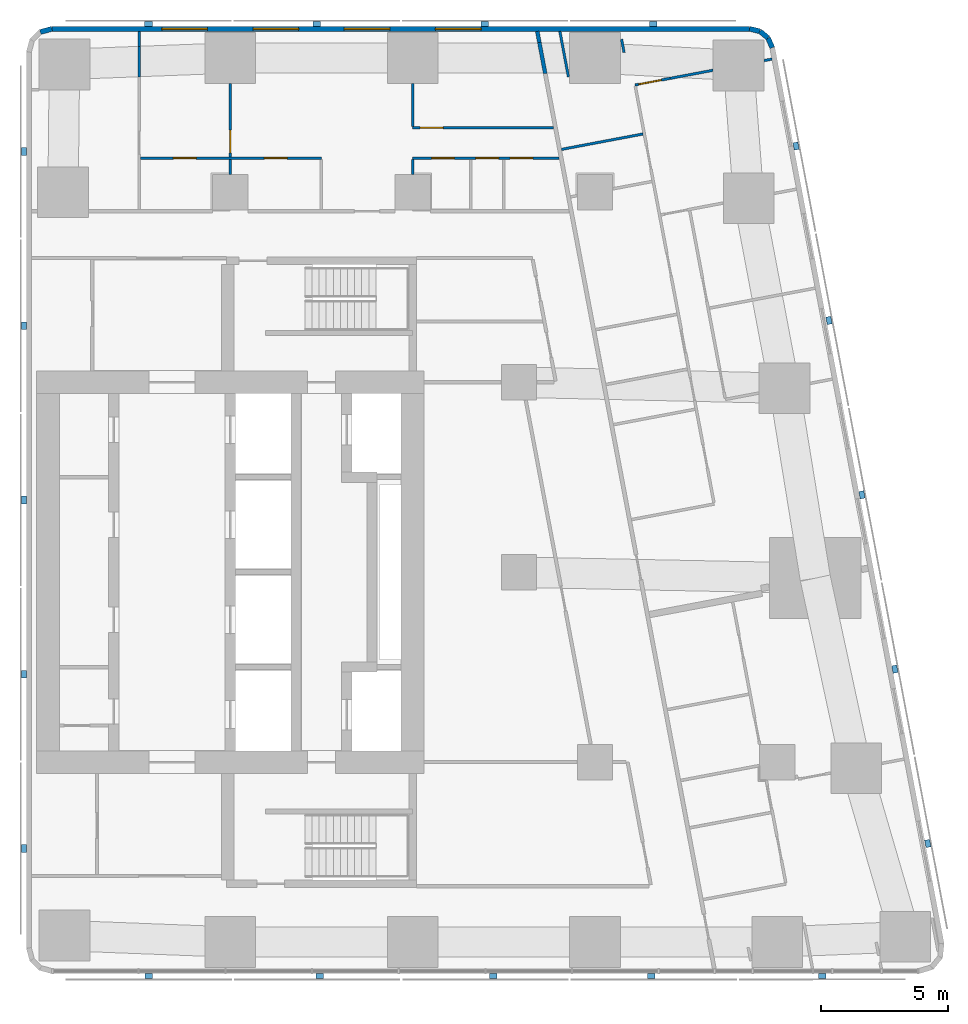
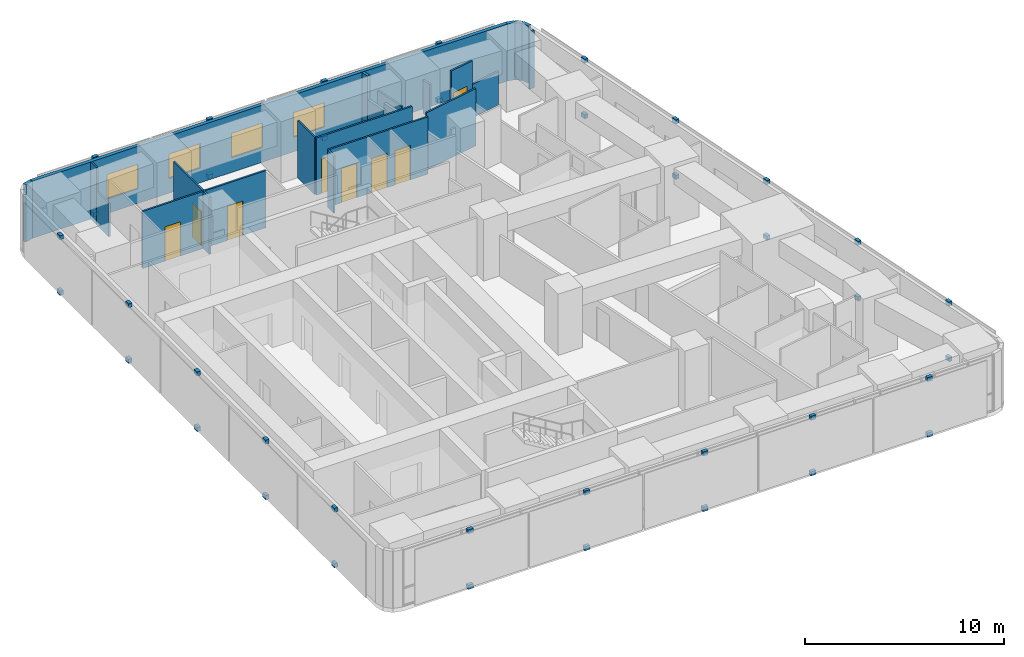
# One storey, part 8 of 10: 38 discrete accessories, 22 walls, 8 doors, 4 windows, 12 openings.
"""IFC4 building model written with IfcOpenShell, lengths in metres."""

from ifc_helpers import new_model, si_unit, direction, frame, frame_2d, origin, origin_2d, place, context, subcontext, project, spatial, rectangle, extrude, material, layer, layer_set, type_object, element, fill, save


model = new_model("IFC4")

# Units and contexts
model_context = context("Model", 3, precision=1e-05, world=origin(), true_north=direction((0.0, 1.0)))
body_context = subcontext(model_context, "Body", "Model", "MODEL_VIEW")
ifc_project = project(units=[si_unit("LENGTHUNIT", "METRE"), si_unit("AREAUNIT", "SQUARE_METRE"), si_unit("VOLUMEUNIT", "CUBIC_METRE"), si_unit("PLANEANGLEUNIT", "RADIAN"), si_unit("MASSUNIT", "GRAM", prefix="KILO")], contexts=[model_context])

# Site, building, storey
site_placement = place(None, origin())
site = spatial("IfcSite", under=ifc_project, at=site_placement, CompositionType="ELEMENT")
building_placement = place(site_placement, origin())
building = spatial("IfcBuilding", under=site, at=building_placement, Name="Sheger Commons Tower", CompositionType="ELEMENT")
storey_placement = place(building_placement, frame((0.0, 0.0, 289.10009765625)))
storey = spatial("IfcBuildingStorey", under=building, at=storey_placement, Name="L74", CompositionType="ELEMENT", Elevation=289.10009765625)

# Walls
ifc_material_1 = material(Name="Hollow concrete block masonry, skimmed both sides", Category="masonry")
ifc_layer_1 = layer(ifc_material_1, 0.14990234375)
ifc_layer_set_1 = layer_set([ifc_layer_1], Name="CORRIDOR WALL 150")
wall_type_1 = type_object("IfcWallType", Name="CORRIDOR WALL 150", PredefinedType="SOLIDWALL", material=ifc_layer_set_1)
wall_1_placement = place(storey_placement, frame((33.721923828125, 43.85009765625, 0.0), z_axis=(0.0, 0.0, 1.0), x_axis=(0.184886516626, -0.982759877066, 0.0)))
element("IfcWall", 1, at=wall_1_placement, inside=storey, type_object=wall_type_1, Name="Corridor wall L74", PredefinedType="SOLIDWALL", context=body_context, shape_type="SweptSolid", body=[
    extrude(rectangle(XDim=0.443603515625, YDim=0.14990234375, at=frame_2d((0.2216796875, 0.0))), origin(), (0.0, 0.0, 1.0), 3.5),
])
wall_2_placement = place(storey_placement, frame((33.803955078125, 43.4140625, 0.0), z_axis=(0.0, 0.0, 1.0), x_axis=(0.185585816539, -0.982628060204, 0.0)))
element("IfcWall", 2, at=wall_2_placement, inside=storey, type_object=wall_type_1, Name="Corridor wall L74", PredefinedType="SOLIDWALL", context=body_context, shape_type="SweptSolid", body=[
    extrude(rectangle(XDim=1.249755859375, YDim=0.14990234375, at=frame_2d((0.625, 0.0))), origin(), (0.0, 0.0, 1.0), 2.0498046875),
])
ifc_material_2 = material(Name="Rendered concrete block masonry, dark grey", Category="masonry")
ifc_layer_2 = layer(ifc_material_2, 0.199951171875)
ifc_layer_set_2 = layer_set([ifc_layer_2], Name="FACADE WALL 200")
wall_type_2 = type_object("IfcWallType", Name="FACADE WALL 200", PredefinedType="SOLIDWALL", material=ifc_layer_set_2)
wall_3_placement = place(storey_placement, frame((43.001953125, 43.2060546875, 0.0), z_axis=(0.0, 0.0, 1.0), x_axis=(-0.40678170573, 0.913525393124, 0.0)))
element("IfcWall", 3, at=wall_3_placement, inside=storey, type_object=wall_type_2, Name="Facade wall L74", PredefinedType="SOLIDWALL", context=body_context, shape_type="SweptSolid", body=[
    extrude(rectangle(XDim=0.422607421875, YDim=0.199951171875, at=frame_2d((0.21142578125, 0.0))), origin(), (0.0, 0.0, 1.0), 3.5),
])
wall_4_placement = place(storey_placement, frame((42.830078125, 43.592041015625, 0.0), z_axis=(0.0, 0.0, 1.0), x_axis=(-0.771190539797, 0.636604391539, 0.0)))
element("IfcWall", 4, at=wall_4_placement, inside=storey, type_object=wall_type_2, Name="Facade wall L74", PredefinedType="SOLIDWALL", context=body_context, shape_type="SweptSolid", body=[
    extrude(rectangle(XDim=0.409912109375, YDim=0.199951171875, at=frame_2d((0.205078125, 0.0))), origin(), (0.0, 0.0, 1.0), 3.5),
])
wall_5_placement = place(storey_placement, frame((42.513916015625, 43.85302734375, 0.0), z_axis=(0.0, 0.0, 1.0), x_axis=(-0.973288080424, 0.229587265555, 0.0)))
element("IfcWall", 5, at=wall_5_placement, inside=storey, type_object=wall_type_2, Name="Facade wall L74", PredefinedType="SOLIDWALL", context=body_context, shape_type="SweptSolid", body=[
    extrude(rectangle(XDim=0.422119140625, YDim=0.199951171875, at=frame_2d((0.2109375, 0.0))), origin(), (0.0, 0.0, 1.0), 3.5),
])

# Wall, openings, windows
wall_6_placement = place(storey_placement, frame((42.10302734375, 43.949951171875, 0.0), z_axis=(0.0, 0.0, 1.0), x_axis=(-1.0, 0.0, 0.0)))
wall_6 = element("IfcWall", 6, at=wall_6_placement, inside=storey, type_object=wall_type_2, Name="Facade wall L74", PredefinedType="SOLIDWALL", context=body_context, shape_type="SweptSolid", body=[
    extrude(rectangle(XDim=27.5400390625, YDim=0.199951171875, at=frame_2d((13.77001953125, 0.0))), origin(), (0.0, 0.0, 1.0), 3.5),
])
opening_1_placement = place(wall_6_placement, frame((10.60302734375, 0.0, 0.89990234375)))
opening_1 = element("IfcOpeningElement", 7, at=opening_1_placement, cuts=wall_6, Name="Opening W2", PredefinedType="OPENING", context=body_context, shape_type="SweptSolid", body=[
    extrude(rectangle(XDim=1.800048828125, YDim=1.5, at=frame_2d((0.89990234375, 0.75))), frame((0.0, 0.10986328125, 0.0), z_axis=(0.0, -1.0, 0.0), x_axis=(1.0, 0.0, 0.0)), (0.0, 0.0, 1.0), 0.219970703125),
])
opening_2_placement = place(wall_6_placement, frame((14.202880859375, 0.0, 0.89990234375)))
opening_2 = element("IfcOpeningElement", 8, at=opening_2_placement, cuts=wall_6, Name="Opening W2", PredefinedType="OPENING", context=body_context, shape_type="SweptSolid", body=[
    extrude(rectangle(XDim=1.800048828125, YDim=1.5, at=frame_2d((0.89990234375, 0.75))), frame((0.0, 0.10986328125, 0.0), z_axis=(0.0, -1.0, 0.0), x_axis=(1.0, 0.0, 0.0)), (0.0, 0.0, 1.0), 0.219970703125),
])
opening_3_placement = place(wall_6_placement, frame((17.802978515625, 0.0, 0.89990234375)))
opening_3 = element("IfcOpeningElement", 9, at=opening_3_placement, cuts=wall_6, Name="Opening W2", PredefinedType="OPENING", context=body_context, shape_type="SweptSolid", body=[
    extrude(rectangle(XDim=1.800048828125, YDim=1.5, at=frame_2d((0.89990234375, 0.75))), frame((0.0, 0.10986328125, 0.0), z_axis=(0.0, -1.0, 0.0), x_axis=(1.0, 0.0, 0.0)), (0.0, 0.0, 1.0), 0.219970703125),
])
opening_4_placement = place(wall_6_placement, frame((21.403076171875, 0.0, 0.89990234375)))
opening_4 = element("IfcOpeningElement", 10, at=opening_4_placement, cuts=wall_6, Name="Opening W2", PredefinedType="OPENING", context=body_context, shape_type="SweptSolid", body=[
    extrude(rectangle(XDim=1.800048828125, YDim=1.5, at=frame_2d((0.89990234375, 0.75))), frame((0.0, 0.10986328125, 0.0), z_axis=(0.0, -1.0, 0.0), x_axis=(1.0, 0.0, 0.0)), (0.0, 0.0, 1.0), 0.219970703125),
])
ifc_material_3 = material(Name="Black aluminium frame, dark tinted double glazing", Category="aluminium")
window_type = type_object("IfcWindowType", Name="WINDOW W2 1800x1500", PartitioningType="SINGLE_PANEL", PredefinedType="WINDOW", material=ifc_material_3)
window_1_placement = place(opening_1_placement, origin())
window_1 = element("IfcWindow", 11, at=window_1_placement, inside=storey, type_object=window_type, Name="Window W2 1800X1500", OverallHeight=1.5, OverallWidth=1.800048828125, PartitioningType="SINGLE_PANEL", PredefinedType="WINDOW", context=body_context, shape_type="SweptSolid", body=[
    extrude(rectangle(XDim=1.800048828125, YDim=1.5, at=frame_2d((0.89990234375, 0.75))), frame((0.0, 0.030029296875, 0.0), z_axis=(0.0, -1.0, 0.0), x_axis=(1.0, 0.0, 0.0)), (0.0, 0.0, 1.0), 0.06005859375),
])
fill(opening_1, window_1)
window_2_placement = place(opening_2_placement, origin())
window_2 = element("IfcWindow", 12, at=window_2_placement, inside=storey, type_object=window_type, Name="Window W2 1800X1500", OverallHeight=1.5, OverallWidth=1.800048828125, PartitioningType="SINGLE_PANEL", PredefinedType="WINDOW", context=body_context, shape_type="SweptSolid", body=[
    extrude(rectangle(XDim=1.800048828125, YDim=1.5, at=frame_2d((0.89990234375, 0.75))), frame((0.0, 0.030029296875, 0.0), z_axis=(0.0, -1.0, 0.0), x_axis=(1.0, 0.0, 0.0)), (0.0, 0.0, 1.0), 0.06005859375),
])
fill(opening_2, window_2)
window_3_placement = place(opening_3_placement, origin())
window_3 = element("IfcWindow", 13, at=window_3_placement, inside=storey, type_object=window_type, Name="Window W2 1800X1500", OverallHeight=1.5, OverallWidth=1.800048828125, PartitioningType="SINGLE_PANEL", PredefinedType="WINDOW", context=body_context, shape_type="SweptSolid", body=[
    extrude(rectangle(XDim=1.800048828125, YDim=1.5, at=frame_2d((0.89990234375, 0.75))), frame((0.0, 0.030029296875, 0.0), z_axis=(0.0, -1.0, 0.0), x_axis=(1.0, 0.0, 0.0)), (0.0, 0.0, 1.0), 0.06005859375),
])
fill(opening_3, window_3)
window_4_placement = place(opening_4_placement, origin())
window_4 = element("IfcWindow", 14, at=window_4_placement, inside=storey, type_object=window_type, Name="Window W2 1800X1500", OverallHeight=1.5, OverallWidth=1.800048828125, PartitioningType="SINGLE_PANEL", PredefinedType="WINDOW", context=body_context, shape_type="SweptSolid", body=[
    extrude(rectangle(XDim=1.800048828125, YDim=1.5, at=frame_2d((0.89990234375, 0.75))), frame((0.0, 0.030029296875, 0.0), z_axis=(0.0, -1.0, 0.0), x_axis=(1.0, 0.0, 0.0)), (0.0, 0.0, 1.0), 0.06005859375),
])
fill(opening_4, window_4)

# Walls
wall_7_placement = place(storey_placement, frame((14.56298828125, 43.949951171875, 0.0), z_axis=(0.0, 0.0, 1.0), x_axis=(-0.965655254015, -0.259826731483, 0.0)))
element("IfcWall", 15, at=wall_7_placement, inside=storey, type_object=wall_type_2, Name="Facade wall L74", PredefinedType="SOLIDWALL", context=body_context, shape_type="SweptSolid", body=[
    extrude(rectangle(XDim=0.477294921875, YDim=0.199951171875, at=frame_2d((0.23876953125, 0.0))), origin(), (0.0, 0.0, 1.0), 3.5),
])
ifc_material_4 = material(Name="Gypsum board on steel studs", Category="steel")
ifc_layer_3 = layer(ifc_material_4, 0.10009765625)
ifc_layer_set_3 = layer_set([ifc_layer_3], Name="PARTITION 100")
wall_type_3 = type_object("IfcWallType", Name="PARTITION 100", PredefinedType="PARTITIONING", material=ifc_layer_set_3)
wall_8_placement = place(storey_placement, frame((34.951904296875, 42.054931640625, 0.0), z_axis=(0.0, 0.0, 1.0), x_axis=(-0.185490642006, 0.98264603074, 0.0)))
element("IfcWall", 16, at=wall_8_placement, inside=storey, type_object=wall_type_3, Name="Partition L74", PredefinedType="PARTITIONING", context=body_context, shape_type="SweptSolid", body=[
    extrude(rectangle(XDim=1.826904296875, YDim=0.10009765625, at=frame_2d((0.91357421875, 0.0))), origin(), (0.0, 0.0, 1.0), 2.0498046875),
])
wall_9_placement = place(storey_placement, frame((37.049072265625, 43.5390625, 0.0), z_axis=(0.0, 0.0, 1.0), x_axis=(0.186119495745, -0.982527115811, 0.0)))
element("IfcWall", 17, at=wall_9_placement, inside=storey, type_object=wall_type_3, Name="Partition L74", PredefinedType="PARTITIONING", context=body_context, shape_type="SweptSolid", body=[
    extrude(rectangle(XDim=0.53125, YDim=0.10009765625, at=frame_2d((0.265625, 0.0))), origin(), (0.0, 0.0, 1.0), 2.0498046875),
])
wall_10_placement = place(storey_placement, frame((42.985107421875, 42.7548828125, 0.0), z_axis=(0.0, 0.0, 1.0), x_axis=(-0.98281924824, -0.184570651215, 0.0)))
element("IfcWall", 18, at=wall_10_placement, inside=storey, type_object=wall_type_3, Name="Partition L74", PredefinedType="PARTITIONING", context=body_context, shape_type="SweptSolid", body=[
    extrude(rectangle(XDim=0.3134765625, YDim=0.10009765625, at=frame_2d((0.15673828125, 0.0))), origin(), (0.0, 0.0, 1.0), 3.5),
])
wall_11_placement = place(storey_placement, frame((40.656982421875, 42.31494140625, 0.0), z_axis=(0.0, 0.0, 1.0), x_axis=(-0.982603924403, -0.185713563715, 0.0)))
element("IfcWall", 19, at=wall_11_placement, inside=storey, type_object=wall_type_3, Name="Partition L74", PredefinedType="PARTITIONING", context=body_context, shape_type="SweptSolid", body=[
    extrude(rectangle(XDim=1.716796875, YDim=0.10009765625, at=frame_2d((0.8583984375, 0.0))), origin(), (0.0, 0.0, 1.0), 2.0498046875),
])

# Wall, opening, door
wall_12_placement = place(storey_placement, frame((38.969970703125, 41.99609375, 0.0), z_axis=(0.0, 0.0, 1.0), x_axis=(-0.982642648049, -0.185508561084, 0.0)))
wall_12 = element("IfcWall", 20, at=wall_12_placement, inside=storey, type_object=wall_type_3, Name="Partition L74", PredefinedType="PARTITIONING", context=body_context, shape_type="SweptSolid", body=[
    extrude(rectangle(XDim=1.413330078125, YDim=0.10009765625, at=frame_2d((0.70654296875, 0.0))), origin(), (0.0, 0.0, 1.0), 3.5),
])
opening_5_placement = place(wall_12_placement, frame((0.363037109375, 0.0, 0.0)))
opening_5 = element("IfcOpeningElement", 21, at=opening_5_placement, cuts=wall_12, Name="Opening D2", PredefinedType="OPENING", context=body_context, shape_type="SweptSolid", body=[
    extrude(rectangle(XDim=0.89990234375, YDim=2.10009765625, at=frame_2d((0.449951171875, 1.050048828125))), frame((0.0, 0.06005859375, 0.0), z_axis=(0.0, -1.0, 0.0), x_axis=(1.0, 0.0, 0.0)), (0.0, 0.0, 1.0), 0.1201171875),
])
ifc_material_5 = material(Name="Timber door set", Category="wood")
door_type = type_object("IfcDoorType", Name="INTERNAL DOOR 900x2100", OperationType="NOTDEFINED", PredefinedType="DOOR", material=ifc_material_5)
door_1_placement = place(opening_5_placement, origin())
door_1 = element("IfcDoor", 22, at=door_1_placement, inside=storey, type_object=door_type, Name="Dressing room door", OperationType="SINGLE_SWING_LEFT", OverallHeight=2.10009765625, OverallWidth=0.89990234375, PredefinedType="DOOR", context=body_context, shape_type="SweptSolid", body=[
    extrude(rectangle(XDim=0.89990234375, YDim=2.10009765625, at=frame_2d((0.449951171875, 1.050048828125))), frame((0.0, 0.02490234375, 0.0), z_axis=(0.0, -1.0, 0.0), x_axis=(1.0, 0.0, 0.0)), (0.0, 0.0, 1.0), 0.050048828125),
])
fill(opening_5, door_1)

# Walls
wall_13_placement = place(storey_placement, frame((37.89599609375, 39.800048828125, 0.0), z_axis=(0.0, 0.0, 1.0), x_axis=(-0.982607026909, -0.185697147715, 0.0)))
element("IfcWall", 23, at=wall_13_placement, inside=storey, type_object=wall_type_3, Name="Partition L74", PredefinedType="PARTITIONING", context=body_context, shape_type="SweptSolid", body=[
    extrude(rectangle(XDim=3.27490234375, YDim=0.10009765625, at=frame_2d((1.637451171875, 0.0))), origin(), (0.0, 0.0, 1.0), 3.5),
])
wall_14_placement = place(storey_placement, frame((18.0, 42.05810546875, 0.0), z_axis=(0.0, 0.0, 1.0), x_axis=(0.0, 1.0, 0.0)))
element("IfcWall", 24, at=wall_14_placement, inside=storey, type_object=wall_type_3, Name="Partition L74", PredefinedType="PARTITIONING", context=body_context, shape_type="SweptSolid", body=[
    extrude(rectangle(XDim=1.204833984375, YDim=0.10009765625, at=frame_2d((0.6025390625, 0.0))), origin(), (0.0, 0.0, 1.0), 2.0498046875),
])
wall_15_placement = place(storey_placement, frame((18.0, 43.262939453125, 0.0), z_axis=(0.0, 0.0, 1.0), x_axis=(0.0, 1.0, 0.0)))
element("IfcWall", 25, at=wall_15_placement, inside=storey, type_object=wall_type_3, Name="Partition L74", PredefinedType="PARTITIONING", context=body_context, shape_type="SweptSolid", body=[
    extrude(rectangle(XDim=0.587158203125, YDim=0.10009765625, at=frame_2d((0.29345703125, 0.0))), origin(), (0.0, 0.0, 1.0), 3.5),
])

# Wall, opening, door
wall_16_placement = place(storey_placement, frame((21.60009765625, 38.89990234375, 0.0), z_axis=(0.0, 0.0, 1.0), x_axis=(0.0, 1.0, 0.0)))
wall_16 = element("IfcWall", 26, at=wall_16_placement, inside=storey, type_object=wall_type_3, Name="Partition L74", PredefinedType="PARTITIONING", context=body_context, shape_type="SweptSolid", body=[
    extrude(rectangle(XDim=2.899169921875, YDim=0.10009765625, at=frame_2d((1.44970703125, 0.0))), origin(), (0.0, 0.0, 1.0), 3.5),
])
opening_6_placement = place(wall_16_placement, frame((0.14990234375, 0.0, 0.0)))
opening_6 = element("IfcOpeningElement", 27, at=opening_6_placement, cuts=wall_16, Name="Opening D2", PredefinedType="OPENING", context=body_context, shape_type="SweptSolid", body=[
    extrude(rectangle(XDim=0.89990234375, YDim=2.10009765625, at=frame_2d((0.449951171875, 1.050048828125))), frame((0.0, 0.06005859375, 0.0), z_axis=(0.0, -1.0, 0.0), x_axis=(1.0, 0.0, 0.0)), (0.0, 0.0, 1.0), 0.1201171875),
])
door_2_placement = place(opening_6_placement, origin())
door_2 = element("IfcDoor", 28, at=door_2_placement, inside=storey, type_object=door_type, Name="Main bedroom door", OperationType="SINGLE_SWING_LEFT", OverallHeight=2.10009765625, OverallWidth=0.89990234375, PredefinedType="DOOR", context=body_context, shape_type="SweptSolid", body=[
    extrude(rectangle(XDim=0.89990234375, YDim=2.10009765625, at=frame_2d((0.449951171875, 1.050048828125))), frame((0.0, 0.02490234375, 0.0), z_axis=(0.0, -1.0, 0.0), x_axis=(1.0, 0.0, 0.0)), (0.0, 0.0, 1.0), 0.050048828125),
])
fill(opening_6, door_2)

# Walls
wall_17_placement = place(storey_placement, frame((28.800048828125, 40.10009765625, 0.0), z_axis=(0.0, 0.0, 1.0), x_axis=(0.0, 1.0, 0.0)))
element("IfcWall", 29, at=wall_17_placement, inside=storey, type_object=wall_type_3, Name="Partition L74", PredefinedType="PARTITIONING", context=body_context, shape_type="SweptSolid", body=[
    extrude(rectangle(XDim=1.698974609375, YDim=0.10009765625, at=frame_2d((0.849609375, 0.0))), origin(), (0.0, 0.0, 1.0), 3.5),
])
for number, where, z_axis, x_axis, name in (
    (30, (21.60009765625, 38.200927734375, 0.0), (0.0, 0.0, 1.0), (0.0, 1.0, 0.0), "Partition L74"),
    (31, (28.800048828125, 38.200927734375, 0.0), (0.0, 0.0, 1.0), (0.0, 1.0, 0.0), "Partition L74"),
):
    element("IfcWall", number, at=place(storey_placement, frame(where, z_axis=z_axis, x_axis=x_axis)), inside=storey, type_object=wall_type_3, Name=name, PredefinedType="PARTITIONING", context=body_context, shape_type="SweptSolid", body=[
        extrude(rectangle(XDim=0.59912109375, YDim=0.10009765625, at=frame_2d((0.299560546875, 0.0))), origin(), (0.0, 0.0, 1.0), 3.5),
    ])

# Wall, openings, doors
wall_18_placement = place(storey_placement, frame((18.050048828125, 38.85009765625, 0.0), z_axis=(0.0, 0.0, 1.0), x_axis=(1.0, 0.0, 0.0)))
wall_18 = element("IfcWall", 32, at=wall_18_placement, inside=storey, type_object=wall_type_3, Name="Partition L74", PredefinedType="PARTITIONING", context=body_context, shape_type="SweptSolid", body=[
    extrude(rectangle(XDim=7.14990234375, YDim=0.10009765625, at=frame_2d((3.574951171875, 0.0))), origin(), (0.0, 0.0, 1.0), 3.5),
])
opening_7_placement = place(wall_18_placement, frame((1.300048828125, 0.0, 0.0)))
opening_7 = element("IfcOpeningElement", 33, at=opening_7_placement, cuts=wall_18, Name="Opening D2", PredefinedType="OPENING", context=body_context, shape_type="SweptSolid", body=[
    extrude(rectangle(XDim=0.89990234375, YDim=2.10009765625, at=frame_2d((0.449951171875, 1.050048828125))), frame((0.0, 0.06005859375, 0.0), z_axis=(0.0, -1.0, 0.0), x_axis=(1.0, 0.0, 0.0)), (0.0, 0.0, 1.0), 0.1201171875),
])
opening_8_placement = place(wall_18_placement, frame((4.89990234375, 0.0, 0.0)))
opening_8 = element("IfcOpeningElement", 34, at=opening_8_placement, cuts=wall_18, Name="Opening D2", PredefinedType="OPENING", context=body_context, shape_type="SweptSolid", body=[
    extrude(rectangle(XDim=0.89990234375, YDim=2.10009765625, at=frame_2d((0.449951171875, 1.050048828125))), frame((0.0, 0.06005859375, 0.0), z_axis=(0.0, -1.0, 0.0), x_axis=(1.0, 0.0, 0.0)), (0.0, 0.0, 1.0), 0.1201171875),
])
door_3_placement = place(opening_7_placement, origin())
door_3 = element("IfcDoor", 35, at=door_3_placement, inside=storey, type_object=door_type, Name="En-suite door", OperationType="SINGLE_SWING_RIGHT", OverallHeight=2.10009765625, OverallWidth=0.89990234375, PredefinedType="DOOR", context=body_context, shape_type="SweptSolid", body=[
    extrude(rectangle(XDim=0.89990234375, YDim=2.10009765625, at=frame_2d((0.449951171875, 1.050048828125))), frame((0.0, 0.02490234375, 0.0), z_axis=(0.0, -1.0, 0.0), x_axis=(1.0, 0.0, 0.0)), (0.0, 0.0, 1.0), 0.050048828125),
])
fill(opening_7, door_3)
door_4_placement = place(opening_8_placement, origin())
door_4 = element("IfcDoor", 36, at=door_4_placement, inside=storey, type_object=door_type, Name="Kitchen door", OperationType="SINGLE_SWING_LEFT", OverallHeight=2.10009765625, OverallWidth=0.89990234375, PredefinedType="DOOR", context=body_context, shape_type="SweptSolid", body=[
    extrude(rectangle(XDim=0.89990234375, YDim=2.10009765625, at=frame_2d((0.449951171875, 1.050048828125))), frame((0.0, 0.02490234375, 0.0), z_axis=(0.0, -1.0, 0.0), x_axis=(1.0, 0.0, 0.0)), (0.0, 0.0, 1.0), 0.050048828125),
])
fill(opening_8, door_4)

wall_19_placement = place(storey_placement, frame((28.800048828125, 38.85009765625, 0.0), z_axis=(0.0, 0.0, 1.0), x_axis=(1.0, 0.0, 0.0)))
wall_19 = element("IfcWall", 37, at=wall_19_placement, inside=storey, type_object=wall_type_3, Name="Partition L74", PredefinedType="PARTITIONING", context=body_context, shape_type="SweptSolid", body=[
    extrude(rectangle(XDim=5.781005859375, YDim=0.10009765625, at=frame_2d((2.890625, 0.0))), origin(), (0.0, 0.0, 1.0), 3.5),
])
opening_9_placement = place(wall_19_placement, frame((0.75, 0.0, 0.0)))
opening_9 = element("IfcOpeningElement", 38, at=opening_9_placement, cuts=wall_19, Name="Opening D2", PredefinedType="OPENING", context=body_context, shape_type="SweptSolid", body=[
    extrude(rectangle(XDim=0.89990234375, YDim=2.10009765625, at=frame_2d((0.449951171875, 1.050048828125))), frame((0.0, 0.06005859375, 0.0), z_axis=(0.0, -1.0, 0.0), x_axis=(1.0, 0.0, 0.0)), (0.0, 0.0, 1.0), 0.1201171875),
])
opening_10_placement = place(wall_19_placement, frame((2.5, 0.0, 0.0)))
opening_10 = element("IfcOpeningElement", 39, at=opening_10_placement, cuts=wall_19, Name="Opening D2", PredefinedType="OPENING", context=body_context, shape_type="SweptSolid", body=[
    extrude(rectangle(XDim=0.89990234375, YDim=2.10009765625, at=frame_2d((0.449951171875, 1.050048828125))), frame((0.0, 0.06005859375, 0.0), z_axis=(0.0, -1.0, 0.0), x_axis=(1.0, 0.0, 0.0)), (0.0, 0.0, 1.0), 0.1201171875),
])
opening_11_placement = place(wall_19_placement, frame((3.85009765625, 0.0, 0.0)))
opening_11 = element("IfcOpeningElement", 40, at=opening_11_placement, cuts=wall_19, Name="Opening D2", PredefinedType="OPENING", context=body_context, shape_type="SweptSolid", body=[
    extrude(rectangle(XDim=0.89990234375, YDim=2.10009765625, at=frame_2d((0.449951171875, 1.050048828125))), frame((0.0, 0.06005859375, 0.0), z_axis=(0.0, -1.0, 0.0), x_axis=(1.0, 0.0, 0.0)), (0.0, 0.0, 1.0), 0.1201171875),
])
door_5_placement = place(opening_9_placement, origin())
door_5 = element("IfcDoor", 41, at=door_5_placement, inside=storey, type_object=door_type, Name="Bathroom door", OperationType="SINGLE_SWING_RIGHT", OverallHeight=2.10009765625, OverallWidth=0.89990234375, PredefinedType="DOOR", context=body_context, shape_type="SweptSolid", body=[
    extrude(rectangle(XDim=0.89990234375, YDim=2.10009765625, at=frame_2d((0.449951171875, 1.050048828125))), frame((0.0, 0.02490234375, 0.0), z_axis=(0.0, -1.0, 0.0), x_axis=(1.0, 0.0, 0.0)), (0.0, 0.0, 1.0), 0.050048828125),
])
fill(opening_9, door_5)
door_6_placement = place(opening_10_placement, origin())
door_6 = element("IfcDoor", 42, at=door_6_placement, inside=storey, type_object=door_type, Name="Store door", OperationType="SINGLE_SWING_LEFT", OverallHeight=2.10009765625, OverallWidth=0.89990234375, PredefinedType="DOOR", context=body_context, shape_type="SweptSolid", body=[
    extrude(rectangle(XDim=0.89990234375, YDim=2.10009765625, at=frame_2d((0.449951171875, 1.050048828125))), frame((0.0, 0.02490234375, 0.0), z_axis=(0.0, -1.0, 0.0), x_axis=(1.0, 0.0, 0.0)), (0.0, 0.0, 1.0), 0.050048828125),
])
fill(opening_10, door_6)
door_7_placement = place(opening_11_placement, origin())
door_7 = element("IfcDoor", 43, at=door_7_placement, inside=storey, type_object=door_type, Name="Linen store door", OperationType="SINGLE_SWING_RIGHT", OverallHeight=2.10009765625, OverallWidth=0.89990234375, PredefinedType="DOOR", context=body_context, shape_type="SweptSolid", body=[
    extrude(rectangle(XDim=0.89990234375, YDim=2.10009765625, at=frame_2d((0.449951171875, 1.050048828125))), frame((0.0, 0.02490234375, 0.0), z_axis=(0.0, -1.0, 0.0), x_axis=(1.0, 0.0, 0.0)), (0.0, 0.0, 1.0), 0.050048828125),
])
fill(opening_11, door_7)

# Wall, opening, door
wall_20_placement = place(storey_placement, frame((28.800048828125, 40.050048828125, 0.0), z_axis=(0.0, 0.0, 1.0), x_axis=(1.0, 0.0, 0.0)))
wall_20 = element("IfcWall", 44, at=wall_20_placement, inside=storey, type_object=wall_type_3, Name="Partition L74", PredefinedType="PARTITIONING", context=body_context, shape_type="SweptSolid", body=[
    extrude(rectangle(XDim=5.553955078125, YDim=0.10009765625, at=frame_2d((2.77685546875, 0.0))), origin(), (0.0, 0.0, 1.0), 3.5),
])
opening_12_placement = place(wall_20_placement, frame((0.300048828125, 0.0, 0.0)))
opening_12 = element("IfcOpeningElement", 45, at=opening_12_placement, cuts=wall_20, Name="Opening D2", PredefinedType="OPENING", context=body_context, shape_type="SweptSolid", body=[
    extrude(rectangle(XDim=0.89990234375, YDim=2.10009765625, at=frame_2d((0.449951171875, 1.050048828125))), frame((0.0, 0.06005859375, 0.0), z_axis=(0.0, -1.0, 0.0), x_axis=(1.0, 0.0, 0.0)), (0.0, 0.0, 1.0), 0.1201171875),
])
door_8_placement = place(opening_12_placement, origin())
door_8 = element("IfcDoor", 46, at=door_8_placement, inside=storey, type_object=door_type, Name="Bedroom 2 door", OperationType="SINGLE_SWING_LEFT", OverallHeight=2.10009765625, OverallWidth=0.89990234375, PredefinedType="DOOR", context=body_context, shape_type="SweptSolid", body=[
    extrude(rectangle(XDim=0.89990234375, YDim=2.10009765625, at=frame_2d((0.449951171875, 1.050048828125))), frame((0.0, 0.02490234375, 0.0), z_axis=(0.0, -1.0, 0.0), x_axis=(1.0, 0.0, 0.0)), (0.0, 0.0, 1.0), 0.050048828125),
])
fill(opening_12, door_8)

# Discrete accessories
ifc_material_6 = material(Name="Black painted steel bracket", Category="steel")
discrete_accessory_type = type_object("IfcDiscreteAccessoryType", Name="SCREEN BRACKET 300x200x250", PredefinedType="BRACKET", material=ifc_material_6)
for number, where, z_axis, x_axis, name in (
    (47, (18.375, 6.550048828125, -0.10009765625), (0.0, 0.0, 1.0), (1.0, 0.0, 0.0), "Solar screen foot bracket"),
    (48, (18.375, 6.550048828125, 3.2998046875), (0.0, 0.0, 1.0), (1.0, 0.0, 0.0), "Solar screen head bracket"),
    (49, (25.1259765625, 6.550048828125, -0.10009765625), (0.0, 0.0, 1.0), (1.0, 0.0, 0.0), "Solar screen foot bracket"),
    (50, (25.1259765625, 6.550048828125, 3.2998046875), (0.0, 0.0, 1.0), (1.0, 0.0, 0.0), "Solar screen head bracket"),
    (51, (31.97607421875, 6.550048828125, -0.10009765625), (0.0, 0.0, 1.0), (1.0, 0.0, 0.0), "Solar screen foot bracket"),
    (52, (31.97607421875, 6.550048828125, 3.2998046875), (0.0, 0.0, 1.0), (1.0, 0.0, 0.0), "Solar screen head bracket"),
    (53, (38.22607421875, 6.550048828125, -0.10009765625), (0.0, 0.0, 1.0), (1.0, 0.0, 0.0), "Solar screen foot bracket"),
    (54, (38.22607421875, 6.550048828125, 3.2998046875), (0.0, 0.0, 1.0), (1.0, 0.0, 0.0), "Solar screen head bracket"),
    (55, (44.97705078125, 6.550048828125, -0.10009765625), (0.0, 0.0, 1.0), (1.0, 0.0, 0.0), "Solar screen foot bracket"),
    (56, (44.97705078125, 6.550048828125, 3.2998046875), (0.0, 0.0, 1.0), (1.0, 0.0, 0.0), "Solar screen head bracket"),
    (57, (49.139892578125, 11.7880859375, -0.10009765625), (0.0, 0.0, 1.0), (-0.185615165645, 0.982622516678, 0.0), "Solar screen foot bracket"),
    (58, (49.139892578125, 11.7880859375, 3.2998046875), (0.0, 0.0, 1.0), (-0.185615165645, 0.982622516678, 0.0), "Solar screen head bracket"),
    (59, (47.840087890625, 18.6708984375, -0.10009765625), (0.0, 0.0, 1.0), (-0.185615165645, 0.982622516678, 0.0), "Solar screen foot bracket"),
    (60, (47.840087890625, 18.6708984375, 3.2998046875), (0.0, 0.0, 1.0), (-0.185615165645, 0.982622516678, 0.0), "Solar screen head bracket"),
    (61, (46.5400390625, 25.554931640625, -0.10009765625), (0.0, 0.0, 1.0), (-0.185615165645, 0.982622516678, 0.0), "Solar screen foot bracket"),
    (62, (46.5400390625, 25.554931640625, 3.2998046875), (0.0, 0.0, 1.0), (-0.185615165645, 0.982622516678, 0.0), "Solar screen head bracket"),
    (63, (45.239013671875, 32.43798828125, -0.10009765625), (0.0, 0.0, 1.0), (-0.185615165645, 0.982622516678, 0.0), "Solar screen foot bracket"),
    (64, (45.239013671875, 32.43798828125, 3.2998046875), (0.0, 0.0, 1.0), (-0.185615165645, 0.982622516678, 0.0), "Solar screen head bracket"),
    (65, (43.93896484375, 39.322021484375, -0.10009765625), (0.0, 0.0, 1.0), (-0.185615165645, 0.982622516678, 0.0), "Solar screen foot bracket"),
    (66, (43.93896484375, 39.322021484375, 3.2998046875), (0.0, 0.0, 1.0), (-0.185615165645, 0.982622516678, 0.0), "Solar screen head bracket"),
    (67, (38.2939453125, 44.14990234375, -0.10009765625), (0.0, 0.0, 1.0), (-1.0, 0.0, 0.0), "Solar screen foot bracket"),
    (68, (38.2939453125, 44.14990234375, 3.2998046875), (0.0, 0.0, 1.0), (-1.0, 0.0, 0.0), "Solar screen head bracket"),
    (69, (31.653076171875, 44.14990234375, -0.10009765625), (0.0, 0.0, 1.0), (-1.0, 0.0, 0.0), "Solar screen foot bracket"),
    (70, (31.653076171875, 44.14990234375, 3.2998046875), (0.0, 0.0, 1.0), (-1.0, 0.0, 0.0), "Solar screen head bracket"),
    (71, (25.011962890625, 44.14990234375, -0.10009765625), (0.0, 0.0, 1.0), (-1.0, 0.0, 0.0), "Solar screen foot bracket"),
    (72, (25.011962890625, 44.14990234375, 3.2998046875), (0.0, 0.0, 1.0), (-1.0, 0.0, 0.0), "Solar screen head bracket"),
    (73, (18.37109375, 44.14990234375, -0.10009765625), (0.0, 0.0, 1.0), (-1.0, 0.0, 0.0), "Solar screen foot bracket"),
    (74, (18.37109375, 44.14990234375, 3.2998046875), (0.0, 0.0, 1.0), (-1.0, 0.0, 0.0), "Solar screen head bracket"),
    (75, (13.449951171875, 39.110107421875, -0.10009765625), (0.0, 0.0, 1.0), (0.0, -1.0, 0.0), "Solar screen foot bracket"),
    (76, (13.449951171875, 39.110107421875, 3.2998046875), (0.0, 0.0, 1.0), (0.0, -1.0, 0.0), "Solar screen head bracket"),
    (77, (13.449951171875, 32.22998046875, -0.10009765625), (0.0, 0.0, 1.0), (0.0, -1.0, 0.0), "Solar screen foot bracket"),
    (78, (13.449951171875, 32.22998046875, 3.2998046875), (0.0, 0.0, 1.0), (0.0, -1.0, 0.0), "Solar screen head bracket"),
    (79, (13.449951171875, 25.35009765625, -0.10009765625), (0.0, 0.0, 1.0), (0.0, -1.0, 0.0), "Solar screen foot bracket"),
    (80, (13.449951171875, 25.35009765625, 3.2998046875), (0.0, 0.0, 1.0), (0.0, -1.0, 0.0), "Solar screen head bracket"),
    (81, (13.449951171875, 18.469970703125, -0.10009765625), (0.0, 0.0, 1.0), (0.0, -1.0, 0.0), "Solar screen foot bracket"),
    (82, (13.449951171875, 18.469970703125, 3.2998046875), (0.0, 0.0, 1.0), (0.0, -1.0, 0.0), "Solar screen head bracket"),
    (83, (13.449951171875, 11.590087890625, -0.10009765625), (0.0, 0.0, 1.0), (0.0, -1.0, 0.0), "Solar screen foot bracket"),
    (84, (13.449951171875, 11.590087890625, 3.2998046875), (0.0, 0.0, 1.0), (0.0, -1.0, 0.0), "Solar screen head bracket"),
):
    element("IfcDiscreteAccessory", number, at=place(storey_placement, frame(where, z_axis=z_axis, x_axis=x_axis)), inside=storey, type_object=discrete_accessory_type, Name=name, PredefinedType="BRACKET", context=body_context, shape_type="SweptSolid", body=[
        extrude(rectangle(XDim=0.300048828125, YDim=0.199951171875, at=origin_2d()), origin(), (0.0, 0.0, 1.0), 0.25),
    ])

save(model, "model.ifc")
